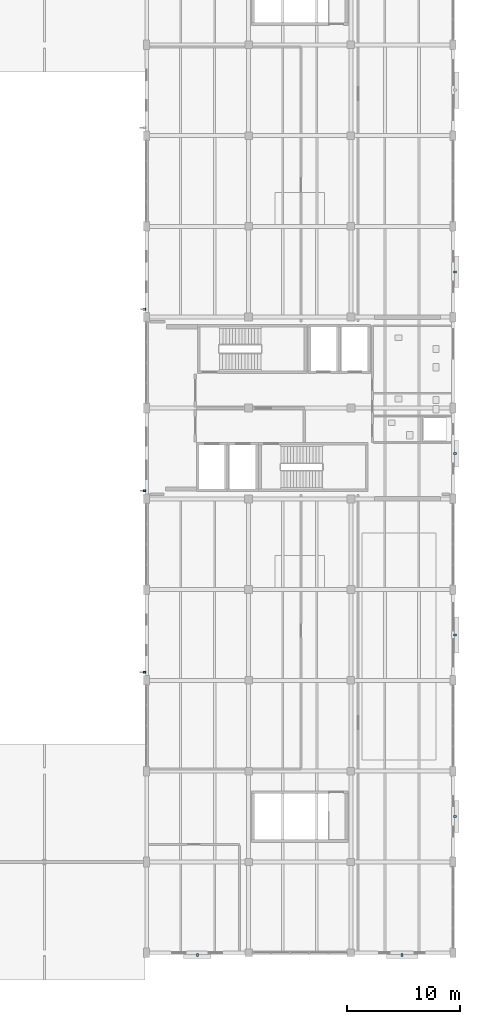
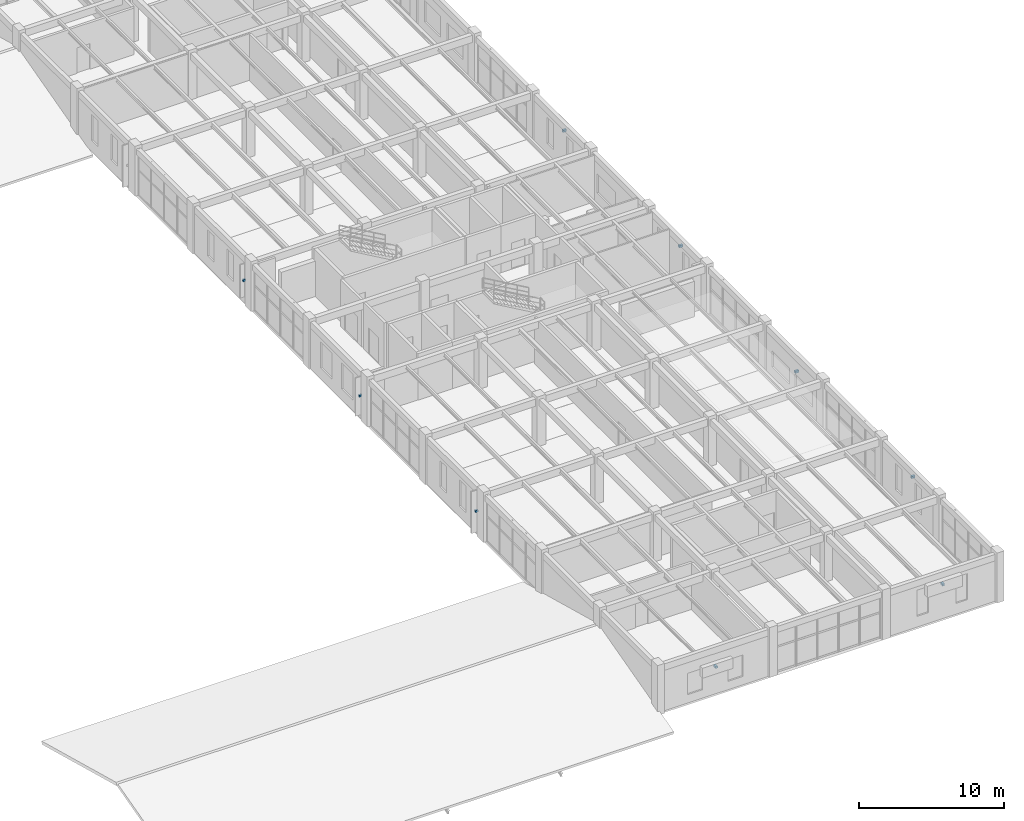
# One storey, part 66 of 71: 9 discrete accessories.
"""IFC4 building model written with IfcOpenShell, lengths in metres."""

from ifc_helpers import new_model, si_unit, derived_unit, direction, frame, origin, origin_2d, place, context, subcontext, project, spatial, rectangle, extrude, material, type_object, element, save


model = new_model("IFC4")

# Units and contexts
model_context = context("Model", 3, precision=1e-05, world=origin(), true_north=direction((0.0, 1.0)))
body_context = subcontext(model_context, "Body", "Model", "MODEL_VIEW")
ifc_project = project(units=[si_unit("LENGTHUNIT", "METRE"), si_unit("AREAUNIT", "SQUARE_METRE"), si_unit("VOLUMEUNIT", "CUBIC_METRE"), si_unit("PLANEANGLEUNIT", "RADIAN"), si_unit("MASSUNIT", "GRAM", prefix="KILO"), derived_unit("THERMALTRANSMITTANCEUNIT", [(si_unit("MASSUNIT", "GRAM", prefix="KILO"), 1), (si_unit("TIMEUNIT", "SECOND"), -3), (si_unit("THERMODYNAMICTEMPERATUREUNIT", "KELVIN"), -1)])], contexts=[model_context])

# Site, building, storey
site_placement = place(None, origin())
site = spatial("IfcSite", under=ifc_project, at=site_placement, CompositionType="ELEMENT")
building_placement = place(site_placement, origin())
building = spatial("IfcBuilding", under=site, at=building_placement, Name="Zhenchuan Archway Interchange", CompositionType="ELEMENT")
storey_placement = place(building_placement, frame((0.0, 0.0, 18.60009765625)))
storey = spatial("IfcBuildingStorey", under=building, at=storey_placement, Name="L04", CompositionType="ELEMENT", Elevation=18.60009765625)

# Discrete accessories
ifc_material = material(Name="Stainless Steel 316", Category="steel")
discrete_accessory_type_1 = type_object("IfcDiscreteAccessoryType", Name="BRK_SHD_1", PredefinedType="BRACKET", material=ifc_material)
for number, where, z_axis, x_axis, name in (
    (1, (143.81005859375, 32.702880859375, 1.8798828125), (0.0, 0.0, 1.0), (0.0, 1.0, 0.0), "Solar fin stainless fixing bracket L04-128"),
    (2, (143.81005859375, 48.702880859375, 1.8798828125), (0.0, 0.0, 1.0), (0.0, 1.0, 0.0), "Solar fin stainless fixing bracket L04-129"),
    (3, (143.81005859375, 64.702880859375, 1.8798828125), (0.0, 0.0, 1.0), (0.0, 1.0, 0.0), "Solar fin stainless fixing bracket L04-130"),
):
    element("IfcDiscreteAccessory", number, at=place(storey_placement, frame(where, z_axis=z_axis, x_axis=x_axis)), inside=storey, type_object=discrete_accessory_type_1, Name=name, PredefinedType="BRACKET", context=body_context, shape_type="SweptSolid", body=[
        extrude(rectangle(XDim=0.159912109375, YDim=0.239990234375, at=origin_2d()), origin(), (0.0, 0.0, 1.0), 0.159912109375),
    ])
discrete_accessory_type_2 = type_object("IfcDiscreteAccessoryType", Name="BRK_SHD_2", PredefinedType="BRACKET", material=ifc_material)
for number, where, z_axis, x_axis, name in (
    (4, (166.52490234375, 7.81005859375, 2.85986328125), (0.0, 0.0, 1.0), (-1.0, 0.0, 0.0), "Storm-louvre stainless fixing bracket L04-126"),
    (5, (148.47509765625, 7.81005859375, 2.259765625), (0.0, 0.0, 1.0), (-1.0, 0.0, 0.0), "Storm-louvre stainless fixing bracket L04-127"),
    (6, (171.18994140625, 68.0, 2.85986328125), (0.0, 0.0, 1.0), (0.0, -1.0, 0.0), "Storm-louvre stainless fixing bracket L04-135"),
    (7, (171.18994140625, 52.0, 2.85986328125), (0.0, 0.0, 1.0), (0.0, -1.0, 0.0), "Storm-louvre stainless fixing bracket L04-136"),
    (8, (171.18994140625, 36.0, 2.009765625), (0.0, 0.0, 1.0), (0.0, -1.0, 0.0), "Storm-louvre stainless fixing bracket L04-137"),
    (9, (171.18994140625, 20.0, 2.85986328125), (0.0, 0.0, 1.0), (0.0, -1.0, 0.0), "Storm-louvre stainless fixing bracket L04-138"),
):
    element("IfcDiscreteAccessory", number, at=place(storey_placement, frame(where, z_axis=z_axis, x_axis=x_axis)), inside=storey, type_object=discrete_accessory_type_2, Name=name, PredefinedType="BRACKET", context=body_context, shape_type="SweptSolid", body=[
        extrude(rectangle(XDim=0.179931640625, YDim=0.280029296875, at=origin_2d()), origin(), (0.0, 0.0, 1.0), 0.179931640625),
    ])

save(model, "model.ifc")
